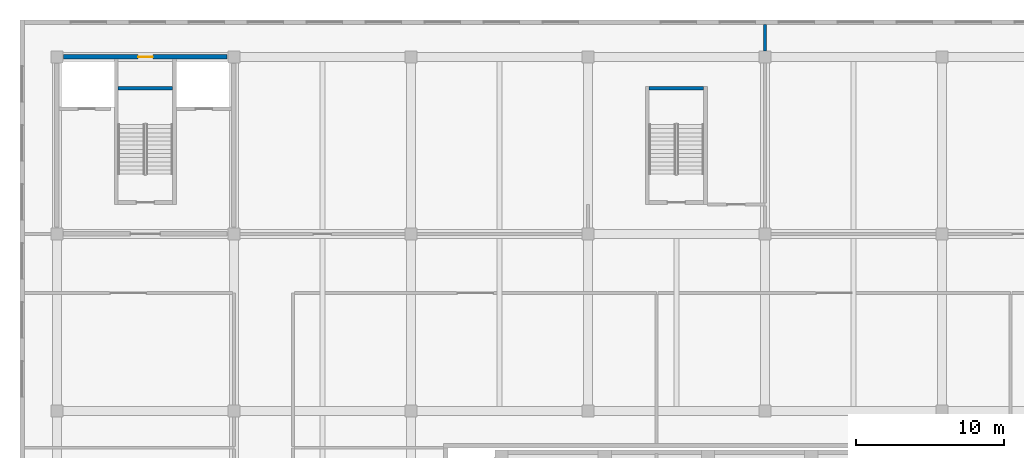
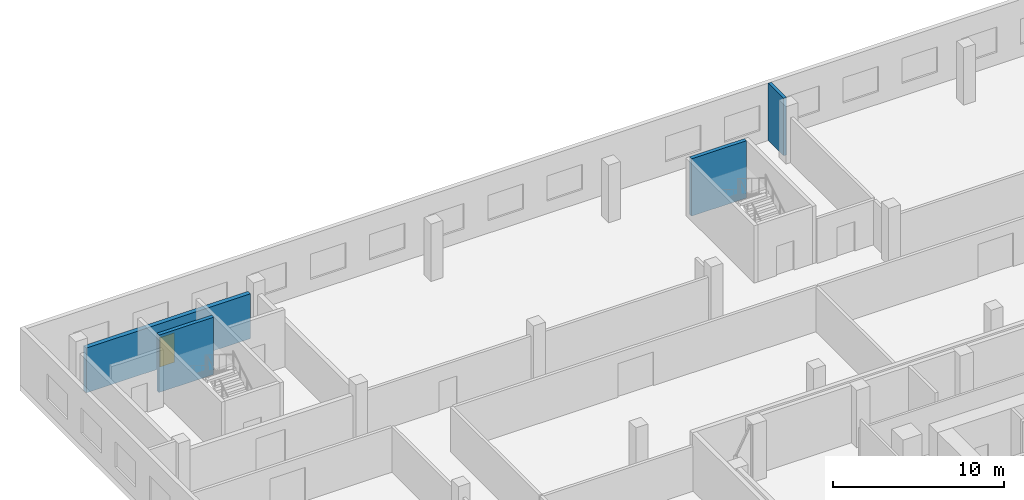
# One storey, part 27 of 38: 4 walls, 1 door, 1 opening.
"""IFC4 building model written with IfcOpenShell, lengths in metres."""

from ifc_helpers import new_model, si_unit, direction, frame, frame_2d, origin, place, context, subcontext, project, spatial, rectangle, extrude, source, transform, mapped, material, layer, layer_set, type_object, element, fill, save


model = new_model("IFC4")

# Units and contexts
model_context = context("Model", 3, precision=1e-05, world=origin(), true_north=direction((0.0, 1.0)))
body_context = subcontext(model_context, "Body", "Model", "MODEL_VIEW")
ifc_project = project(units=[si_unit("LENGTHUNIT", "METRE"), si_unit("AREAUNIT", "SQUARE_METRE"), si_unit("VOLUMEUNIT", "CUBIC_METRE"), si_unit("PLANEANGLEUNIT", "RADIAN"), si_unit("MASSUNIT", "GRAM", prefix="KILO")], contexts=[model_context])

# Site, building, storey
site_placement = place(None, origin())
site = spatial("IfcSite", under=ifc_project, at=site_placement, CompositionType="ELEMENT")
building_placement = place(site_placement, origin())
building = spatial("IfcBuilding", under=site, at=building_placement, Name="Kilnfold Tower and Market Hall", CompositionType="ELEMENT")
storey_placement = place(building_placement, frame((0.0, 0.0, 9.0)))
storey = spatial("IfcBuildingStorey", under=building, at=storey_placement, Name="L01", CompositionType="ELEMENT", Elevation=9.0)

# Walls
ifc_material_1 = material(Name="Concrete C50/60", Category="concrete")
ifc_layer_1 = layer(ifc_material_1, 0.25)
ifc_layer_set_1 = layer_set([ifc_layer_1], Name="Concrete C50/60")
wall_type_1 = type_object("IfcWallType", Name="HALL CORE WALL 250", PredefinedType="SHEAR", material=ifc_layer_set_1)
shared_shape_1 = source(origin(), body_context, "Body", "SweptSolid", [
    extrude(rectangle(XDim=3.699951171875, YDim=0.25, at=frame_2d((1.85009765625, 0.0))), origin(), (0.0, 0.0, 1.0), 4.10009765625),
])
for number, where, z_axis, x_axis, name in (
    (1, (-46.800048828125, 52.52490234375, 0.0), (0.0, 0.0, 1.0), (-1.0, 0.0, 0.0), "Core wall MH2"),
    (2, (-14.5, 52.52490234375, 0.0), (0.0, 0.0, 1.0), (1.0, 0.0, 0.0), "Core wall MS4"),
):
    element("IfcWall", number, at=place(storey_placement, frame(where, z_axis=z_axis, x_axis=x_axis)), inside=storey, type_object=wall_type_1, Name=name, PredefinedType="SHEAR", context=body_context, shape_type="MappedRepresentation", body=[
        mapped(shared_shape_1, transform((0.0, 0.0, 0.0))),
    ])

# Wall, opening, door
ifc_material_2 = material(Name="Concrete C50/60", Category="concrete")
ifc_layer_2 = layer(ifc_material_2, 0.300048828125)
ifc_layer_set_2 = layer_set([ifc_layer_2], Name="Concrete C50/60")
wall_type_2 = type_object("IfcWallType", Name="HALL CORE WALL 300", PredefinedType="SHEAR", material=ifc_layer_set_2)
shared_shape_2 = source(origin(), body_context, "Body", "SweptSolid", [
    extrude(rectangle(XDim=11.099853515625, YDim=0.300048828125, at=frame_2d((5.5498046875, 0.0))), origin(), (0.0, 0.0, 1.0), 3.199951171875),
])
wall_1_placement = place(storey_placement, frame((-43.10009765625, 54.64990234375, 0.0), z_axis=(0.0, 0.0, 1.0), x_axis=(-1.0, 0.0, 0.0)))
wall_1 = element("IfcWall", 3, at=wall_1_placement, inside=storey, type_object=wall_type_2, Name="Core wall MH2", PredefinedType="SHEAR", context=body_context, shape_type="MappedRepresentation", body=[
    mapped(shared_shape_2, transform((0.0, 0.0, 0.0))),
])
opening_placement = place(wall_1_placement, frame((5.050048828125, 0.0, 0.0)))
opening = element("IfcOpeningElement", 4, at=opening_placement, cuts=wall_1, Name="Opening MD4-60", PredefinedType="OPENING", context=body_context, shape_type="SweptSolid", body=[
    extrude(rectangle(XDim=1.0, YDim=2.10009765625, at=frame_2d((0.5, 1.050048828125))), frame((0.0, 0.16015625, 0.0), z_axis=(0.0, -1.0, 0.0), x_axis=(1.0, 0.0, 0.0)), (0.0, 0.0, 1.0), 0.320068359375),
])
ifc_material_3 = material(Name="Steel S355", Category="steel")
door_type = type_object("IfcDoorType", Name="HALL DOOR RISER 1000X2100 FD60", OperationType="NOTDEFINED", PredefinedType="DOOR", material=ifc_material_3)
door_placement = place(opening_placement, origin())
door = element("IfcDoor", 5, at=door_placement, inside=storey, type_object=door_type, Name="Door MD4-60", OperationType="SINGLE_SWING_LEFT", OverallHeight=2.10009765625, OverallWidth=1.0, PredefinedType="DOOR", context=body_context, shape_type="SweptSolid", body=[
    extrude(rectangle(XDim=1.0, YDim=2.10009765625, at=frame_2d((0.5, 1.050048828125))), frame((0.0, 0.02490234375, 0.0), z_axis=(0.0, -1.0, 0.0), x_axis=(1.0, 0.0, 0.0)), (0.0, 0.0, 1.0), 0.050048828125),
])
fill(opening, door)

# Wall
ifc_material_4 = material(Name="Concrete blockwork", Category="masonry")
ifc_layer_3 = layer(ifc_material_4, 0.199951171875)
ifc_layer_set_3 = layer_set([ifc_layer_3], Name="Concrete blockwork")
wall_type_3 = type_object("IfcWallType", Name="HALL PARTITION 200 EI 120", PredefinedType="PARTITIONING", material=ifc_layer_set_3)
shared_shape_3 = source(origin(), body_context, "Body", "SweptSolid", [
    extrude(rectangle(XDim=1.800048828125, YDim=0.199951171875, at=frame_2d((0.89990234375, 0.0))), origin(), (0.0, 0.0, 1.0), 4.10009765625),
])
wall_2_placement = place(storey_placement, frame((-6.64990234375, 56.85009765625, 0.0), z_axis=(0.0, 0.0, 1.0), x_axis=(0.0, -1.0, 0.0)))
element("IfcWall", 6, at=wall_2_placement, inside=storey, type_object=wall_type_3, Name="Partition W-MH-L01.39", PredefinedType="PARTITIONING", context=body_context, shape_type="MappedRepresentation", body=[
    mapped(shared_shape_3, transform((0.0, 0.0, 0.0))),
])

save(model, "model.ifc")
